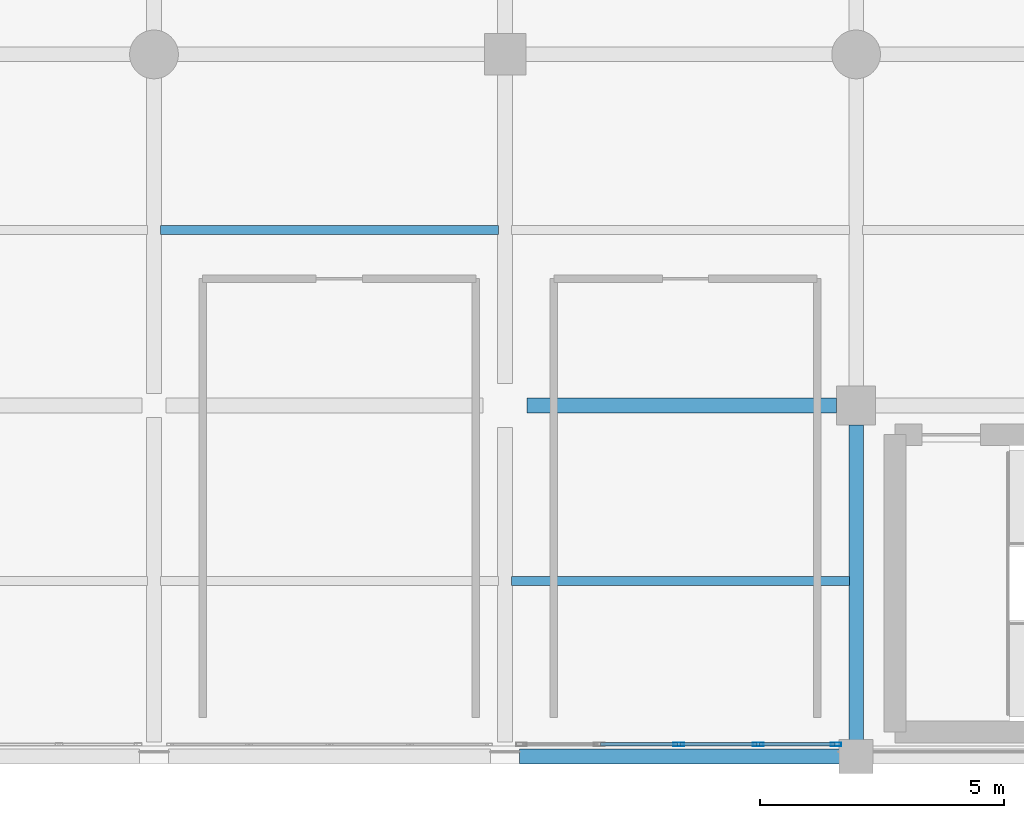
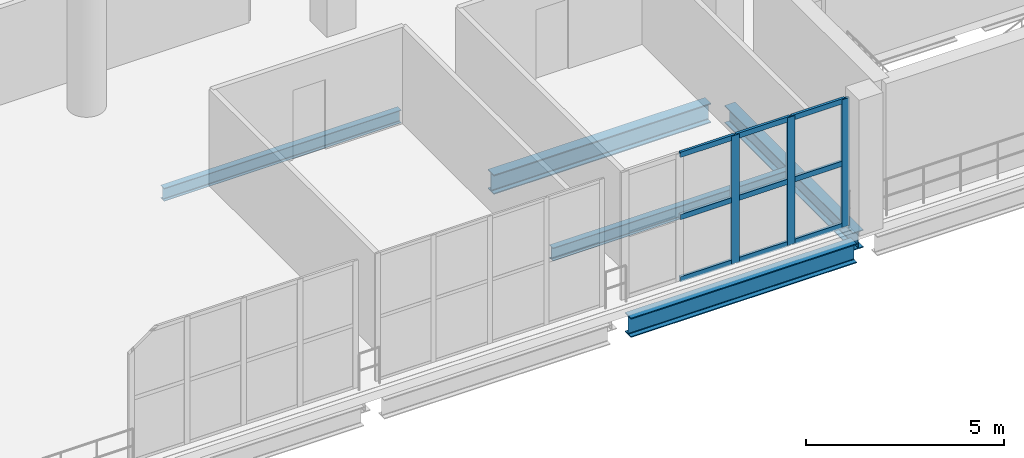
# One storey, part 9 of 153: 12 members, 5 beams, 1 element without a shape of its own.
"""IFC4 building model written with IfcOpenShell, lengths in metres."""

from ifc_helpers import new_model, si_unit, direction, frame, origin, origin_2d, place, context, subcontext, project, spatial, hollow_rectangle, i_section, extrude, material, material_profile, profile_set, type_object, element, aggregate, save


model = new_model("IFC4")

# Units and contexts
model_context = context("Model", 3, precision=1e-05, world=origin(), true_north=direction((0.0, 1.0)))
body_context = subcontext(model_context, "Body", "Model", "MODEL_VIEW")
ifc_project = project(units=[si_unit("LENGTHUNIT", "METRE"), si_unit("AREAUNIT", "SQUARE_METRE"), si_unit("VOLUMEUNIT", "CUBIC_METRE"), si_unit("PLANEANGLEUNIT", "RADIAN"), si_unit("MASSUNIT", "GRAM", prefix="KILO")], contexts=[model_context])

# Site, building, storey
site_placement = place(None, origin())
site = spatial("IfcSite", under=ifc_project, at=site_placement, CompositionType="ELEMENT")
building_placement = place(site_placement, origin())
building = spatial("IfcBuilding", under=site, at=building_placement, Name="Qandorah Velis Arena", CompositionType="ELEMENT")
storey_placement = place(building_placement, frame((0.0, 0.0, 5.39990234375)))
storey = spatial("IfcBuildingStorey", under=building, at=storey_placement, Name="L01", CompositionType="ELEMENT", Elevation=5.39990234375)

# Curtain wall, members
ifc_material_1 = material(Name="Solar-control low-E double glazing", Category="glass")
curtain_wall_type = type_object("IfcCurtainWallType", Name="ARC-CW-SYS09", PredefinedType="USERDEFINED", material=ifc_material_1)
curtain_wall_placement = place(storey_placement, origin())
curtain_wall = element("IfcCurtainWall", 1, at=curtain_wall_placement, inside=storey, type_object=curtain_wall_type, Name="Unitised curtain wall L01-057", ObjectType="UNITISED CURTAIN WALL", PredefinedType="USERDEFINED")
ifc_material_2 = material(Name="Champagne-bronze anodized aluminium 6063-T6", Category="aluminium")
ifc_material_profile_1 = material_profile(ifc_material_2, hollow_rectangle(XDim=0.074951171875, YDim=0.219970703125, WallThickness=0.00390625, at=origin_2d()), Name="ALU MULLION 75x220")
ifc_profile_set_1 = profile_set([ifc_material_profile_1], Name="Champagne-bronze anodized aluminium 6063-T6")
member_type_1 = type_object("IfcMemberType", Name="ARC-CWM-220", PredefinedType="MULLION", material=ifc_profile_set_1)
member_1_placement = place(storey_placement, frame((25.16259765625, 0.25, -0.014892578125), z_axis=(0.0, 0.0, 1.0), x_axis=(0.0, 1.0, 0.0)))
member_1 = element("IfcMember", 2, at=member_1_placement, type_object=member_type_1, Name="CW09 mullion 3", PredefinedType="MULLION", context=body_context, shape_type="SweptSolid", body=[
    extrude(hollow_rectangle(XDim=0.074951171875, YDim=0.219970703125, WallThickness=0.00390625, at=origin_2d()), origin(), (0.0, 0.0, 1.0), 3.949951171875),
])
member_2_placement = place(storey_placement, frame((26.793701171875, 0.25, -0.014892578125), z_axis=(0.0, 0.0, 1.0), x_axis=(0.0, 1.0, 0.0)))
member_2 = element("IfcMember", 3, at=member_2_placement, type_object=member_type_1, Name="CW09 mullion 4", PredefinedType="MULLION", context=body_context, shape_type="SweptSolid", body=[
    extrude(hollow_rectangle(XDim=0.074951171875, YDim=0.219970703125, WallThickness=0.00390625, at=origin_2d()), origin(), (0.0, 0.0, 1.0), 3.949951171875),
])
member_3_placement = place(storey_placement, frame((28.387451171875, 0.25, -0.014892578125), z_axis=(0.0, 0.0, 1.0), x_axis=(0.0, 1.0, 0.0)))
member_3 = element("IfcMember", 4, at=member_3_placement, type_object=member_type_1, Name="CW09 mullion 5", PredefinedType="MULLION", context=body_context, shape_type="SweptSolid", body=[
    extrude(hollow_rectangle(XDim=0.074951171875, YDim=0.219970703125, WallThickness=0.00390625, at=origin_2d()), origin(), (0.0, 0.0, 1.0), 3.949951171875),
])
ifc_material_profile_2 = material_profile(ifc_material_2, hollow_rectangle(XDim=0.074951171875, YDim=0.159912109375, WallThickness=0.00341796875, at=origin_2d()), Name="ALU TRANSOM 75x160")
ifc_profile_set_2 = profile_set([ifc_material_profile_2], Name="Champagne-bronze anodized aluminium 6063-T6")
member_type_2 = type_object("IfcMemberType", Name="ARC-CWT-160", PredefinedType="USERDEFINED", material=ifc_profile_set_2)
member_4_placement = place(storey_placement, frame((23.556640625, 0.25, 0.03759765625), z_axis=(1.0, 0.0, 0.0), x_axis=(0.0, 1.0, 0.0)))
member_4 = element("IfcMember", 5, at=member_4_placement, type_object=member_type_2, Name="CW09 transom 2.1", ObjectType="TRANSOM", PredefinedType="USERDEFINED", context=body_context, shape_type="SweptSolid", body=[
    extrude(hollow_rectangle(XDim=0.074951171875, YDim=0.159912109375, WallThickness=0.00341796875, at=origin_2d()), origin(), (0.0, 0.0, 1.0), 1.580322265625),
])
member_5_placement = place(storey_placement, frame((23.556640625, 0.25, 1.960205078125), z_axis=(1.0, 0.0, 0.0), x_axis=(0.0, 1.0, 0.0)))
member_5 = element("IfcMember", 6, at=member_5_placement, type_object=member_type_2, Name="CW09 transom 2.2", ObjectType="TRANSOM", PredefinedType="USERDEFINED", context=body_context, shape_type="SweptSolid", body=[
    extrude(hollow_rectangle(XDim=0.074951171875, YDim=0.159912109375, WallThickness=0.00341796875, at=origin_2d()), origin(), (0.0, 0.0, 1.0), 1.580322265625),
])
member_6_placement = place(storey_placement, frame((23.556640625, 0.25, 3.882568359375), z_axis=(1.0, 0.0, 0.0), x_axis=(0.0, 1.0, 0.0)))
member_6 = element("IfcMember", 7, at=member_6_placement, type_object=member_type_2, Name="CW09 transom 2.3", ObjectType="TRANSOM", PredefinedType="USERDEFINED", context=body_context, shape_type="SweptSolid", body=[
    extrude(hollow_rectangle(XDim=0.074951171875, YDim=0.159912109375, WallThickness=0.00341796875, at=origin_2d()), origin(), (0.0, 0.0, 1.0), 1.580322265625),
])
member_7_placement = place(storey_placement, frame((25.18798828125, 0.25, 0.03759765625), z_axis=(1.0, 0.0, 0.0), x_axis=(0.0, 1.0, 0.0)))
member_7 = element("IfcMember", 8, at=member_7_placement, type_object=member_type_2, Name="CW09 transom 3.1", ObjectType="TRANSOM", PredefinedType="USERDEFINED", context=body_context, shape_type="SweptSolid", body=[
    extrude(hollow_rectangle(XDim=0.074951171875, YDim=0.159912109375, WallThickness=0.00341796875, at=origin_2d()), origin(), (0.0, 0.0, 1.0), 1.580322265625),
])
member_8_placement = place(storey_placement, frame((25.18798828125, 0.25, 1.960205078125), z_axis=(1.0, 0.0, 0.0), x_axis=(0.0, 1.0, 0.0)))
member_8 = element("IfcMember", 9, at=member_8_placement, type_object=member_type_2, Name="CW09 transom 3.2", ObjectType="TRANSOM", PredefinedType="USERDEFINED", context=body_context, shape_type="SweptSolid", body=[
    extrude(hollow_rectangle(XDim=0.074951171875, YDim=0.159912109375, WallThickness=0.00341796875, at=origin_2d()), origin(), (0.0, 0.0, 1.0), 1.580322265625),
])
member_9_placement = place(storey_placement, frame((25.18798828125, 0.25, 3.882568359375), z_axis=(1.0, 0.0, 0.0), x_axis=(0.0, 1.0, 0.0)))
member_9 = element("IfcMember", 10, at=member_9_placement, type_object=member_type_2, Name="CW09 transom 3.3", ObjectType="TRANSOM", PredefinedType="USERDEFINED", context=body_context, shape_type="SweptSolid", body=[
    extrude(hollow_rectangle(XDim=0.074951171875, YDim=0.159912109375, WallThickness=0.00341796875, at=origin_2d()), origin(), (0.0, 0.0, 1.0), 1.580322265625),
])
member_10_placement = place(storey_placement, frame((26.8193359375, 0.25, 0.03759765625), z_axis=(1.0, 0.0, 0.0), x_axis=(0.0, 1.0, 0.0)))
member_10 = element("IfcMember", 11, at=member_10_placement, type_object=member_type_2, Name="CW09 transom 4.1", ObjectType="TRANSOM", PredefinedType="USERDEFINED", context=body_context, shape_type="SweptSolid", body=[
    extrude(hollow_rectangle(XDim=0.074951171875, YDim=0.159912109375, WallThickness=0.00341796875, at=origin_2d()), origin(), (0.0, 0.0, 1.0), 1.542724609375),
])
member_11_placement = place(storey_placement, frame((26.8193359375, 0.25, 1.960205078125), z_axis=(1.0, 0.0, 0.0), x_axis=(0.0, 1.0, 0.0)))
member_11 = element("IfcMember", 12, at=member_11_placement, type_object=member_type_2, Name="CW09 transom 4.2", ObjectType="TRANSOM", PredefinedType="USERDEFINED", context=body_context, shape_type="SweptSolid", body=[
    extrude(hollow_rectangle(XDim=0.074951171875, YDim=0.159912109375, WallThickness=0.00341796875, at=origin_2d()), origin(), (0.0, 0.0, 1.0), 1.542724609375),
])
member_12_placement = place(storey_placement, frame((26.8193359375, 0.25, 3.882568359375), z_axis=(1.0, 0.0, 0.0), x_axis=(0.0, 1.0, 0.0)))
member_12 = element("IfcMember", 13, at=member_12_placement, type_object=member_type_2, Name="CW09 transom 4.3", ObjectType="TRANSOM", PredefinedType="USERDEFINED", context=body_context, shape_type="SweptSolid", body=[
    extrude(hollow_rectangle(XDim=0.074951171875, YDim=0.159912109375, WallThickness=0.00341796875, at=origin_2d()), origin(), (0.0, 0.0, 1.0), 1.542724609375),
])
aggregate(curtain_wall, [member_1, member_2, member_3, member_4, member_5, member_6, member_7, member_8, member_9, member_10, member_11, member_12])

# Beams
ifc_material_3 = material(Name="Steel S355", Category="steel")
ifc_material_profile_3 = material_profile(ifc_material_3, i_section(OverallWidth=0.300048828125, OverallDepth=0.550048828125, WebThickness=0.014892578125, FlangeThickness=0.029052734375, FilletRadius=0.027099609375, at=origin_2d()), Name="HEB 550")
ifc_profile_set_3 = profile_set([ifc_material_profile_3], Name="Steel S355")
beam_type_1 = type_object("IfcBeamType", Name="STR-BM-HEB550", PredefinedType="BEAM", material=ifc_profile_set_3)
beam_1_placement = place(storey_placement, frame((28.800048828125, 0.300048828125, -0.635009765625), z_axis=(0.0, 1.0, 0.0), x_axis=(-1.0, 0.0, 0.0)))
element("IfcBeam", 14, at=beam_1_placement, inside=storey, type_object=beam_type_1, Name="Primary floor girder L01 Y-292", PredefinedType="BEAM", context=body_context, shape_type="SweptSolid", body=[
    extrude(i_section(OverallWidth=0.300048828125, OverallDepth=0.550048828125, WebThickness=0.014892578125, FlangeThickness=0.029052734375, FilletRadius=0.027099609375, at=origin_2d()), origin(), (0.0, 0.0, 1.0), 6.5),
])
ifc_material_profile_4 = material_profile(ifc_material_3, i_section(OverallWidth=0.300048828125, OverallDepth=0.60009765625, WebThickness=0.015380859375, FlangeThickness=0.030029296875, FilletRadius=0.027099609375, at=origin_2d()), Name="HEB 600")
ifc_profile_set_4 = profile_set([ifc_material_profile_4], Name="Steel S355")
beam_type_2 = type_object("IfcBeamType", Name="STR-BM-HEB600", PredefinedType="BEAM", material=ifc_profile_set_4)
beam_2_placement = place(storey_placement, frame((21.89990234375, 0.0, -0.659912109375), z_axis=(1.0, 0.0, 0.0), x_axis=(0.0, 1.0, 0.0)))
element("IfcBeam", 15, at=beam_2_placement, inside=storey, type_object=beam_type_2, Name="Primary floor girder L01 X-004", PredefinedType="BEAM", context=body_context, shape_type="SweptSolid", body=[
    extrude(i_section(OverallWidth=0.300048828125, OverallDepth=0.60009765625, WebThickness=0.015380859375, FlangeThickness=0.030029296875, FilletRadius=0.027099609375, at=origin_2d()), origin(), (0.0, 0.0, 1.0), 6.60009765625),
])
beam_3_placement = place(storey_placement, frame((22.050048828125, 7.199951171875, -0.659912109375), z_axis=(1.0, 0.0, 0.0), x_axis=(0.0, 1.0, 0.0)))
element("IfcBeam", 16, at=beam_3_placement, inside=storey, type_object=beam_type_2, Name="Primary floor girder L01 X-020", PredefinedType="BEAM", context=body_context, shape_type="SweptSolid", body=[
    extrude(i_section(OverallWidth=0.300048828125, OverallDepth=0.60009765625, WebThickness=0.015380859375, FlangeThickness=0.030029296875, FilletRadius=0.027099609375, at=origin_2d()), origin(), (0.0, 0.0, 1.0), 6.349853515625),
])
ifc_material_profile_5 = material_profile(ifc_material_3, i_section(OverallWidth=0.179931640625, OverallDepth=0.39990234375, WebThickness=0.008544921875, FlangeThickness=0.013427734375, FilletRadius=0.02099609375, at=origin_2d()), Name="IPE 400")
ifc_profile_set_5 = profile_set([ifc_material_profile_5], Name="Steel S355")
beam_type_3 = type_object("IfcBeamType", Name="STR-JST-IPE400", PredefinedType="JOIST", material=ifc_profile_set_5)
beam_4_placement = place(storey_placement, frame((14.534912109375, 10.800048828125, -0.559814453125), z_axis=(1.0, 0.0, 0.0), x_axis=(0.0, 1.0, 0.0)))
element("IfcBeam", 17, at=beam_4_placement, inside=storey, type_object=beam_type_3, Name="Secondary floor joist L01-034", PredefinedType="JOIST", context=body_context, shape_type="SweptSolid", body=[
    extrude(i_section(OverallWidth=0.179931640625, OverallDepth=0.39990234375, WebThickness=0.008544921875, FlangeThickness=0.013427734375, FilletRadius=0.02099609375, at=origin_2d()), origin(), (0.0, 0.0, 1.0), 6.93017578125),
])
beam_5_placement = place(storey_placement, frame((21.735107421875, 3.60009765625, -0.559814453125), z_axis=(1.0, 0.0, 0.0), x_axis=(0.0, 1.0, 0.0)))
element("IfcBeam", 18, at=beam_5_placement, inside=storey, type_object=beam_type_3, Name="Secondary floor joist L01-051", PredefinedType="JOIST", context=body_context, shape_type="SweptSolid", body=[
    extrude(i_section(OverallWidth=0.179931640625, OverallDepth=0.39990234375, WebThickness=0.008544921875, FlangeThickness=0.013427734375, FilletRadius=0.02099609375, at=origin_2d()), origin(), (0.0, 0.0, 1.0), 6.929931640625),
])

save(model, "model.ifc")
